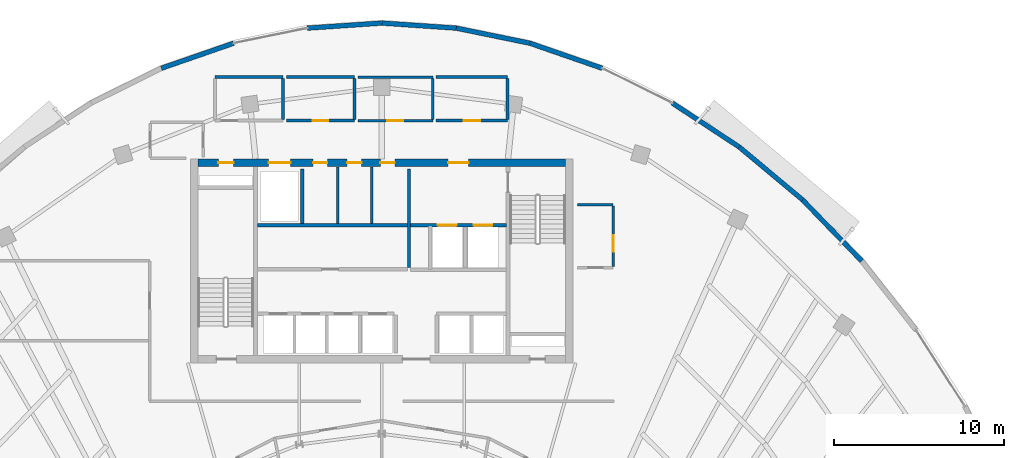
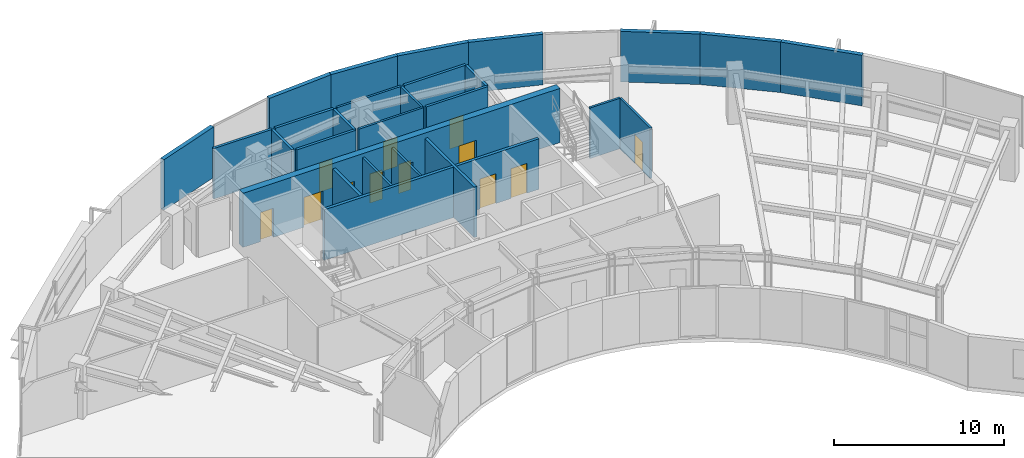
# One storey, part 10 of 14: 28 walls, 12 doors, 12 openings.
"""IFC4 building model written with IfcOpenShell, lengths in metres."""

from ifc_helpers import new_model, si_unit, direction, frame, frame_2d, origin, place, context, subcontext, project, spatial, rectangle, extrude, source, transform, mapped, material, layer, layer_set, type_object, type_shapes, element, fill, save


model = new_model("IFC4")

# Units and contexts
model_context = context("Model", 3, precision=1e-05, world=origin(), true_north=direction((0.0, 1.0)))
body_context = subcontext(model_context, "Body", "Model", "MODEL_VIEW")
ifc_project = project(units=[si_unit("LENGTHUNIT", "METRE"), si_unit("AREAUNIT", "SQUARE_METRE"), si_unit("VOLUMEUNIT", "CUBIC_METRE"), si_unit("PLANEANGLEUNIT", "RADIAN"), si_unit("MASSUNIT", "GRAM", prefix="KILO")], contexts=[model_context])

# Site, building, storey
site_placement = place(None, origin())
site = spatial("IfcSite", under=ifc_project, at=site_placement, CompositionType="ELEMENT")
building_placement = place(site_placement, origin())
building = spatial("IfcBuilding", under=site, at=building_placement, Name="Breltana Convention Tower", CompositionType="ELEMENT")
storey_placement = place(building_placement, frame((0.0, 0.0, 211.800048828125)))
storey = spatial("IfcBuildingStorey", under=building, at=storey_placement, Name="L51", CompositionType="ELEMENT", Elevation=211.800048828125)

# Wall, openings, doors
ifc_material_1 = material(Name="Concrete C60/75", Category="concrete")
ifc_layer_1 = layer(ifc_material_1, 0.449951171875, Name="Concrete C60/75")
ifc_layer_set_1 = layer_set([ifc_layer_1], Name="Concrete C60/75")
wall_type_1 = type_object("IfcWallType", Name="SW-CORE-450", PredefinedType="SHEAR", material=ifc_layer_set_1)
shared_shape_1 = source(origin(), body_context, "Body", "SweptSolid", [
    extrude(rectangle(XDim=21.60009765625, YDim=0.449951171875, at=frame_2d((10.800048828125, 0.0))), origin(), (0.0, 0.0, 1.0), 3.89990234375),
])
wall_1_placement = place(storey_placement, frame((37.199951171875, 71.97509765625, 0.0), z_axis=(0.0, 0.0, 1.0), x_axis=(1.0, 0.0, 0.0)))
wall_1 = element("IfcWall", 1, at=wall_1_placement, inside=storey, type_object=wall_type_1, Name="L51 North Core Shear Wall", PredefinedType="SHEAR", context=body_context, shape_type="MappedRepresentation", body=[
    mapped(shared_shape_1, transform((0.0, 0.0, 0.0), scale=1.0)),
])
opening_1_placement = place(wall_1_placement, frame((1.199951171875, 0.0, 0.0)))
opening_1 = element("IfcOpeningElement", 2, at=opening_1_placement, cuts=wall_1, Name="Opening D-18", PredefinedType="OPENING", context=body_context, shape_type="SweptSolid", body=[
    extrude(rectangle(XDim=0.89990234375, YDim=2.10009765625, at=frame_2d((0.449951171875, 1.050048828125))), frame((0.0, 0.23486328125, 0.0), z_axis=(0.0, -1.0, 0.0), x_axis=(1.0, 0.0, 0.0)), (0.0, 0.0, 1.0), 0.469970703125),
])
opening_2_placement = place(wall_1_placement, frame((14.699951171875, 0.0, 0.0)))
opening_2 = element("IfcOpeningElement", 3, at=opening_2_placement, cuts=wall_1, Name="Opening D-09", PredefinedType="OPENING", context=body_context, shape_type="SweptSolid", body=[
    extrude(rectangle(XDim=1.199951171875, YDim=2.14990234375, at=frame_2d((0.60009765625, 1.074951171875))), frame((0.0, 0.23486328125, 0.0), z_axis=(0.0, -1.0, 0.0), x_axis=(1.0, 0.0, 0.0)), (0.0, 0.0, 1.0), 0.469970703125),
])
opening_3_placement = place(wall_1_placement, frame((4.14990234375, 0.0, 0.0)))
opening_3 = element("IfcOpeningElement", 4, at=opening_3_placement, cuts=wall_1, Name="Opening LD-01", PredefinedType="OPENING", context=body_context, shape_type="SweptSolid", body=[
    extrude(rectangle(XDim=1.300048828125, YDim=2.14990234375, at=frame_2d((0.64990234375, 1.074951171875))), frame((0.0, 0.23486328125, 0.0), z_axis=(0.0, -1.0, 0.0), x_axis=(1.0, 0.0, 0.0)), (0.0, 0.0, 1.0), 0.469970703125),
])
opening_4_placement = place(wall_1_placement, frame((6.760009765625, 0.0, 0.0)))
opening_4 = element("IfcOpeningElement", 5, at=opening_4_placement, cuts=wall_1, Name="Opening D-20", PredefinedType="OPENING", context=body_context, shape_type="SweptSolid", body=[
    extrude(rectangle(XDim=0.85009765625, YDim=2.10009765625, at=frame_2d((0.425048828125, 1.050048828125))), frame((0.0, 0.23486328125, 0.0), z_axis=(0.0, -1.0, 0.0), x_axis=(1.0, 0.0, 0.0)), (0.0, 0.0, 1.0), 0.469970703125),
])
opening_5_placement = place(wall_1_placement, frame((8.760009765625, 0.0, 0.0)))
opening_5 = element("IfcOpeningElement", 6, at=opening_5_placement, cuts=wall_1, Name="Opening D-20", PredefinedType="OPENING", context=body_context, shape_type="SweptSolid", body=[
    extrude(rectangle(XDim=0.85009765625, YDim=2.10009765625, at=frame_2d((0.425048828125, 1.050048828125))), frame((0.0, 0.23486328125, 0.0), z_axis=(0.0, -1.0, 0.0), x_axis=(1.0, 0.0, 0.0)), (0.0, 0.0, 1.0), 0.469970703125),
])
opening_6_placement = place(wall_1_placement, frame((10.72509765625, 0.0, 0.0)))
opening_6 = element("IfcOpeningElement", 7, at=opening_6_placement, cuts=wall_1, Name="Opening D-20", PredefinedType="OPENING", context=body_context, shape_type="SweptSolid", body=[
    extrude(rectangle(XDim=0.85009765625, YDim=2.10009765625, at=frame_2d((0.425048828125, 1.050048828125))), frame((0.0, 0.23486328125, 0.0), z_axis=(0.0, -1.0, 0.0), x_axis=(1.0, 0.0, 0.0)), (0.0, 0.0, 1.0), 0.469970703125),
])
ifc_material_2 = material(Name="Steel Riser Fire Door", Category="steel")
door_type_1 = type_object("IfcDoorType", Name="DR-FD60-900", OperationType="NOTDEFINED", PredefinedType="DOOR", material=ifc_material_2)
shared_shape_2 = source(origin(), body_context, "Body", "SweptSolid", [
    extrude(rectangle(XDim=0.89990234375, YDim=2.10009765625, at=frame_2d((0.449951171875, 1.050048828125))), frame((0.0, 0.02490234375, 0.0), z_axis=(0.0, -1.0, 0.0), x_axis=(1.0, 0.0, 0.0)), (0.0, 0.0, 1.0), 0.050048828125),
])
type_shapes(door_type_1, [shared_shape_2])
door_1_placement = place(opening_1_placement, origin())
door_1 = element("IfcDoor", 8, at=door_1_placement, inside=storey, type_object=door_type_1, Name="L51 Core Riser Access Door D-L51-RS1", OperationType="SINGLE_SWING_LEFT", OverallHeight=2.10009765625, OverallWidth=0.89990234375, PredefinedType="DOOR", context=body_context, shape_type="MappedRepresentation", body=[
    mapped(shared_shape_2, transform((0.0, 0.0, 0.0), scale=1.0)),
])
fill(opening_1, door_1)
ifc_material_3 = material(Name="Steel Fire Lobby Door", Category="steel")
door_type_2 = type_object("IfcDoorType", Name="DR-FD120-1200", OperationType="NOTDEFINED", PredefinedType="DOOR", material=ifc_material_3)
shared_shape_3 = source(origin(), body_context, "Body", "SweptSolid", [
    extrude(rectangle(XDim=1.199951171875, YDim=2.14990234375, at=frame_2d((0.60009765625, 1.074951171875))), frame((0.0, 0.02490234375, 0.0), z_axis=(0.0, -1.0, 0.0), x_axis=(1.0, 0.0, 0.0)), (0.0, 0.0, 1.0), 0.050048828125),
])
type_shapes(door_type_2, [shared_shape_3])
door_2_placement = place(opening_2_placement, origin())
door_2 = element("IfcDoor", 9, at=door_2_placement, inside=storey, type_object=door_type_2, Name="L51 interior door D-L51-FFL-N", OperationType="SINGLE_SWING_RIGHT", OverallHeight=2.14990234375, OverallWidth=1.199951171875, PredefinedType="DOOR", context=body_context, shape_type="MappedRepresentation", body=[
    mapped(shared_shape_3, transform((0.0, 0.0, 0.0), scale=1.0)),
])
fill(opening_2, door_2)
ifc_material_4 = material(Name="Stainless Steel Brushed", Category="steel")
door_type_3 = type_object("IfcDoorType", Name="DR-LD-SRV-1300", OperationType="DOUBLE_DOOR_SLIDING", PredefinedType="DOOR", material=ifc_material_4)
shared_shape_4 = source(origin(), body_context, "Body", "SweptSolid", [
    extrude(rectangle(XDim=1.300048828125, YDim=2.14990234375, at=frame_2d((0.64990234375, 1.074951171875))), frame((0.0, 0.02490234375, 0.0), z_axis=(0.0, -1.0, 0.0), x_axis=(1.0, 0.0, 0.0)), (0.0, 0.0, 1.0), 0.050048828125),
])
type_shapes(door_type_3, [shared_shape_4])
door_3_placement = place(opening_3_placement, origin())
door_3 = element("IfcDoor", 10, at=door_3_placement, inside=storey, type_object=door_type_3, Name="L51 Lift Landing Door D-L51-LD-SV1", OperationType="DOUBLE_DOOR_SLIDING", OverallHeight=2.14990234375, OverallWidth=1.300048828125, PredefinedType="DOOR", context=body_context, shape_type="MappedRepresentation", body=[
    mapped(shared_shape_4, transform((0.0, 0.0, 0.0), scale=1.0)),
])
fill(opening_3, door_3)
ifc_material_5 = material(Name="Steel Closet Fire Door", Category="steel")
door_type_4 = type_object("IfcDoorType", Name="DR-FD60-850", OperationType="NOTDEFINED", PredefinedType="DOOR", material=ifc_material_5)
shared_shape_5 = source(origin(), body_context, "Body", "SweptSolid", [
    extrude(rectangle(XDim=0.85009765625, YDim=2.10009765625, at=frame_2d((0.425048828125, 1.050048828125))), frame((0.0, 0.02490234375, 0.0), z_axis=(0.0, -1.0, 0.0), x_axis=(1.0, 0.0, 0.0)), (0.0, 0.0, 1.0), 0.050048828125),
])
type_shapes(door_type_4, [shared_shape_5])
door_4_placement = place(opening_4_placement, origin())
door_4 = element("IfcDoor", 11, at=door_4_placement, inside=storey, type_object=door_type_4, Name="L51 interior door D-L51-CRA1", OperationType="SINGLE_SWING_LEFT", OverallHeight=2.10009765625, OverallWidth=0.85009765625, PredefinedType="DOOR", context=body_context, shape_type="MappedRepresentation", body=[
    mapped(shared_shape_5, transform((0.0, 0.0, 0.0), scale=1.0)),
])
fill(opening_4, door_4)
door_5_placement = place(opening_5_placement, origin())
door_5 = element("IfcDoor", 12, at=door_5_placement, inside=storey, type_object=door_type_4, Name="L51 interior door D-L51-CRA2", OperationType="SINGLE_SWING_RIGHT", OverallHeight=2.10009765625, OverallWidth=0.85009765625, PredefinedType="DOOR", context=body_context, shape_type="MappedRepresentation", body=[
    mapped(shared_shape_5, transform((0.0, 0.0, 0.0), scale=1.0)),
])
fill(opening_5, door_5)
door_6_placement = place(opening_6_placement, origin())
door_6 = element("IfcDoor", 13, at=door_6_placement, inside=storey, type_object=door_type_4, Name="L51 interior door D-L51-CRA3", OperationType="SINGLE_SWING_LEFT", OverallHeight=2.10009765625, OverallWidth=0.85009765625, PredefinedType="DOOR", context=body_context, shape_type="MappedRepresentation", body=[
    mapped(shared_shape_5, transform((0.0, 0.0, 0.0), scale=1.0)),
])
fill(opening_6, door_6)

# Walls
ifc_material_6 = material(Name="Limestone Buff Insulated Wall", Category="masonry")
ifc_layer_2 = layer(ifc_material_6, 0.280029296875, Name="Limestone Buff Insulated Wall")
ifc_layer_set_2 = layer_set([ifc_layer_2], Name="Limestone Buff Insulated Wall")
wall_type_2 = type_object("IfcWallType", Name="WL-EXT-NOSE-280", PredefinedType="SOLIDWALL", material=ifc_layer_set_2)
shared_shape_6 = source(origin(), body_context, "Body", "SweptSolid", [
    extrude(rectangle(XDim=4.851806640625, YDim=0.280029296875, at=frame_2d((2.42578125, 0.0))), origin(), (0.0, 0.0, 1.0), 3.639892578125),
])
wall_2_placement = place(storey_placement, frame((69.006103515625, 72.8955078125, 0.0), z_axis=(0.0, 0.0, 1.0), x_axis=(0.767936605821, -0.640525853843, 0.0)))
element("IfcWall", 14, at=wall_2_placement, inside=storey, type_object=wall_type_2, Name="L51 curved limestone nose wall E30", PredefinedType="SOLIDWALL", context=body_context, shape_type="MappedRepresentation", body=[
    mapped(shared_shape_6, transform((0.0, 0.0, 0.0), scale=1.0)),
])
shared_shape_7 = source(origin(), body_context, "Body", "SweptSolid", [
    extrude(rectangle(XDim=4.712646484375, YDim=0.280029296875, at=frame_2d((2.3564453125, 0.0))), origin(), (0.0, 0.0, 1.0), 3.639892578125),
])
wall_3_placement = place(storey_placement, frame((65.06640625, 75.481689453125, 0.0), z_axis=(0.0, 0.0, 1.0), x_axis=(0.835974386457, -0.548768462275, 0.0)))
element("IfcWall", 15, at=wall_3_placement, inside=storey, type_object=wall_type_2, Name="L51 curved limestone nose wall E29", PredefinedType="SOLIDWALL", context=body_context, shape_type="MappedRepresentation", body=[
    mapped(shared_shape_7, transform((0.0, 0.0, 0.0), scale=1.0)),
])
shared_shape_8 = source(origin(), body_context, "Body", "SweptSolid", [
    extrude(rectangle(XDim=4.4921875, YDim=0.280029296875, at=frame_2d((2.24609375, 0.0))), origin(), (0.0, 0.0, 1.0), 3.639892578125),
])
for number, where, z_axis, x_axis, name in (
    (16, (35.04638671875, 77.520263671875, 0.0), (0.0, 0.0, 1.0), (0.944872297412, 0.32743906545, 0.0), "L51 curved limestone nose wall E24"),
    (17, (56.708984375, 78.9912109375, 0.0), (0.0, 0.0, 1.0), (0.944872297412, -0.32743906545, 0.0), "L51 curved limestone nose wall E28"),
):
    element("IfcWall", number, at=place(storey_placement, frame(where, z_axis=z_axis, x_axis=x_axis)), inside=storey, type_object=wall_type_2, Name=name, PredefinedType="SOLIDWALL", context=body_context, shape_type="MappedRepresentation", body=[
        mapped(shared_shape_8, transform((0.0, 0.0, 0.0), scale=1.0)),
    ])
shared_shape_9 = source(origin(), body_context, "Body", "SweptSolid", [
    extrude(rectangle(XDim=4.38671875, YDim=0.280029296875, at=frame_2d((2.193359375, 0.0))), origin(), (0.0, 0.0, 1.0), 3.639892578125),
])
for number, where, z_axis, x_axis, name in (
    (18, (43.623291015625, 79.87939453125, 0.0), (0.0, 0.0, 1.0), (0.997703650546, 0.06773053733, 0.0), "L51 curved limestone nose wall E25"),
    (19, (48.0, 80.176513671875, 0.0), (0.0, 0.0, 1.0), (0.997703650546, -0.06773053733, 0.0), "L51 curved limestone nose wall E26"),
):
    element("IfcWall", number, at=place(storey_placement, frame(where, z_axis=z_axis, x_axis=x_axis)), inside=storey, type_object=wall_type_2, Name=name, PredefinedType="SOLIDWALL", context=body_context, shape_type="MappedRepresentation", body=[
        mapped(shared_shape_9, transform((0.0, 0.0, 0.0), scale=1.0)),
    ])
shared_shape_10 = source(origin(), body_context, "Body", "SweptSolid", [
    extrude(rectangle(XDim=4.42236328125, YDim=0.280029296875, at=frame_2d((2.211181640625, 0.0))), origin(), (0.0, 0.0, 1.0), 3.639892578125),
])
wall_4_placement = place(storey_placement, frame((52.376708984375, 79.87939453125, 0.0), z_axis=(0.0, 0.0, 1.0), x_axis=(0.979624428875, -0.200838189476, 0.0)))
element("IfcWall", 20, at=wall_4_placement, inside=storey, type_object=wall_type_2, Name="L51 curved limestone nose wall E27", PredefinedType="SOLIDWALL", context=body_context, shape_type="MappedRepresentation", body=[
    mapped(shared_shape_10, transform((0.0, 0.0, 0.0), scale=1.0)),
])
shared_shape_11 = source(origin(), body_context, "Body", "SweptSolid", [
    extrude(rectangle(XDim=5.000732421875, YDim=0.280029296875, at=frame_2d((2.50048828125, 0.0))), origin(), (0.0, 0.0, 1.0), 3.639892578125),
])
wall_5_placement = place(storey_placement, frame((72.73193359375, 69.787841796875, 0.0), z_axis=(0.0, 0.0, 1.0), x_axis=(0.694572731818, -0.719422490762, 0.0)))
element("IfcWall", 21, at=wall_5_placement, inside=storey, type_object=wall_type_2, Name="L51 curved limestone nose wall E31", PredefinedType="SOLIDWALL", context=body_context, shape_type="MappedRepresentation", body=[
    mapped(shared_shape_11, transform((0.0, 0.0, 0.0), scale=1.0)),
])

# Wall, openings, doors
ifc_material_7 = material(Name="Autoclaved Aerated Concrete Block", Category="concrete")
ifc_layer_3 = layer(ifc_material_7, 0.199951171875, Name="Autoclaved Aerated Concrete Block")
ifc_layer_set_3 = layer_set([ifc_layer_3], Name="Autoclaved Aerated Concrete Block")
wall_type_3 = type_object("IfcWallType", Name="WL-SHAFT-200", PredefinedType="SOLIDWALL", material=ifc_layer_set_3)
shared_shape_12 = source(origin(), body_context, "Body", "SweptSolid", [
    extrude(rectangle(XDim=5.6201171875, YDim=0.199951171875, at=frame_2d((2.81005859375, 0.0))), origin(), (0.0, 0.0, 1.0), 3.639892578125),
])
wall_6_placement = place(storey_placement, frame((49.699951171875, 68.300048828125, 0.0), z_axis=(0.0, 0.0, 1.0), x_axis=(1.0, 0.0, 0.0)))
wall_6 = element("IfcWall", 22, at=wall_6_placement, inside=storey, type_object=wall_type_3, Name="L51 interior partition W-L51-FFL-S", PredefinedType="SOLIDWALL", context=body_context, shape_type="MappedRepresentation", body=[
    mapped(shared_shape_12, transform((0.0, 0.0, 0.0), scale=1.0)),
])
opening_7_placement = place(wall_6_placement, frame((1.60009765625, 0.0, 0.0)))
opening_7 = element("IfcOpeningElement", 23, at=opening_7_placement, cuts=wall_6, Name="Opening LD-03", PredefinedType="OPENING", context=body_context, shape_type="SweptSolid", body=[
    extrude(rectangle(XDim=1.10009765625, YDim=2.14990234375, at=frame_2d((0.550048828125, 1.074951171875))), frame((0.0, 0.10986328125, 0.0), z_axis=(0.0, -1.0, 0.0), x_axis=(1.0, 0.0, 0.0)), (0.0, 0.0, 1.0), 0.219970703125),
])
opening_8_placement = place(wall_6_placement, frame((3.699951171875, 0.0, 0.0)))
opening_8 = element("IfcOpeningElement", 24, at=opening_8_placement, cuts=wall_6, Name="Opening LD-03", PredefinedType="OPENING", context=body_context, shape_type="SweptSolid", body=[
    extrude(rectangle(XDim=1.10009765625, YDim=2.14990234375, at=frame_2d((0.550048828125, 1.074951171875))), frame((0.0, 0.10986328125, 0.0), z_axis=(0.0, -1.0, 0.0), x_axis=(1.0, 0.0, 0.0)), (0.0, 0.0, 1.0), 0.219970703125),
])
door_type_5 = type_object("IfcDoorType", Name="DR-LD-FF-1100", OperationType="DOUBLE_DOOR_SLIDING", PredefinedType="DOOR", material=ifc_material_4)
shared_shape_13 = source(origin(), body_context, "Body", "SweptSolid", [
    extrude(rectangle(XDim=1.10009765625, YDim=2.14990234375, at=frame_2d((0.550048828125, 1.074951171875))), frame((0.0, 0.02490234375, 0.0), z_axis=(0.0, -1.0, 0.0), x_axis=(1.0, 0.0, 0.0)), (0.0, 0.0, 1.0), 0.050048828125),
])
type_shapes(door_type_5, [shared_shape_13])
door_7_placement = place(opening_7_placement, origin())
door_7 = element("IfcDoor", 25, at=door_7_placement, inside=storey, type_object=door_type_5, Name="L51 Lift Landing Door D-L51-LD-FL1", OperationType="DOUBLE_DOOR_SLIDING", OverallHeight=2.14990234375, OverallWidth=1.10009765625, PredefinedType="DOOR", context=body_context, shape_type="MappedRepresentation", body=[
    mapped(shared_shape_13, transform((0.0, 0.0, 0.0), scale=1.0)),
])
fill(opening_7, door_7)
door_8_placement = place(opening_8_placement, origin())
door_8 = element("IfcDoor", 26, at=door_8_placement, inside=storey, type_object=door_type_5, Name="L51 Lift Landing Door D-L51-LD-FL2", OperationType="DOUBLE_DOOR_SLIDING", OverallHeight=2.14990234375, OverallWidth=1.10009765625, PredefinedType="DOOR", context=body_context, shape_type="MappedRepresentation", body=[
    mapped(shared_shape_13, transform((0.0, 0.0, 0.0), scale=1.0)),
])
fill(opening_8, door_8)

# Walls
shared_shape_14 = source(origin(), body_context, "Body", "SweptSolid", [
    extrude(rectangle(XDim=5.800048828125, YDim=0.199951171875, at=frame_2d((2.89990234375, 0.0))), origin(), (0.0, 0.0, 1.0), 3.639892578125),
])
wall_7_placement = place(storey_placement, frame((49.60009765625, 65.800048828125, 0.0), z_axis=(0.0, 0.0, 1.0), x_axis=(0.0, 1.0, 0.0)))
element("IfcWall", 27, at=wall_7_placement, inside=storey, type_object=wall_type_3, Name="L51 interior partition W-L51-FFL-W", PredefinedType="SOLIDWALL", context=body_context, shape_type="MappedRepresentation", body=[
    mapped(shared_shape_14, transform((0.0, 0.0, 0.0), scale=1.0)),
])
shared_shape_15 = source(origin(), body_context, "Body", "SweptSolid", [
    extrude(rectangle(XDim=3.2001953125, YDim=0.199951171875, at=frame_2d((1.60009765625, 0.0))), origin(), (0.0, 0.0, 1.0), 3.639892578125),
])
wall_8_placement = place(storey_placement, frame((43.320068359375, 68.39990234375, 0.0), z_axis=(0.0, 0.0, 1.0), x_axis=(0.0, 1.0, 0.0)))
element("IfcWall", 28, at=wall_8_placement, inside=storey, type_object=wall_type_3, Name="L51 interior partition W-L51-SV-E", PredefinedType="SOLIDWALL", context=body_context, shape_type="MappedRepresentation", body=[
    mapped(shared_shape_15, transform((0.0, 0.0, 0.0), scale=1.0)),
])
shared_shape_16 = source(origin(), body_context, "Body", "SweptSolid", [
    extrude(rectangle(XDim=8.800048828125, YDim=0.199951171875, at=frame_2d((4.39990234375, 0.0))), origin(), (0.0, 0.0, 1.0), 3.639892578125),
])
wall_9_placement = place(storey_placement, frame((40.699951171875, 68.300048828125, 0.0), z_axis=(0.0, 0.0, 1.0), x_axis=(1.0, 0.0, 0.0)))
element("IfcWall", 29, at=wall_9_placement, inside=storey, type_object=wall_type_3, Name="L51 interior partition W-L51-SV-S", PredefinedType="SOLIDWALL", context=body_context, shape_type="MappedRepresentation", body=[
    mapped(shared_shape_16, transform((0.0, 0.0, 0.0), scale=1.0)),
])
ifc_material_8 = material(Name="Gypsum Acoustic Drywall Partition")
ifc_layer_4 = layer(ifc_material_8, 0.14990234375, Name="Gypsum Acoustic Drywall Partition")
ifc_layer_set_4 = layer_set([ifc_layer_4], Name="Gypsum Acoustic Drywall Partition")
wall_type_4 = type_object("IfcWallType", Name="WL-PART-150", PredefinedType="PARTITIONING", material=ifc_layer_set_4)
shared_shape_17 = source(origin(), body_context, "Body", "SweptSolid", [
    extrude(rectangle(XDim=3.330078125, YDim=0.14990234375, at=frame_2d((1.6650390625, 0.0))), origin(), (0.0, 0.0, 1.0), 3.639892578125),
])
for number, where, z_axis, x_axis, name in (
    (30, (45.39990234375, 68.39990234375, 0.0), (0.0, 0.0, 1.0), (0.0, 1.0, 0.0), "L51 interior partition W-L51-KV-1"),
    (31, (47.39990234375, 68.39990234375, 0.0), (0.0, 0.0, 1.0), (0.0, 1.0, 0.0), "L51 interior partition W-L51-KV-2"),
):
    element("IfcWall", number, at=place(storey_placement, frame(where, z_axis=z_axis, x_axis=x_axis)), inside=storey, type_object=wall_type_4, Name=name, PredefinedType="PARTITIONING", context=body_context, shape_type="MappedRepresentation", body=[
        mapped(shared_shape_17, transform((0.0, 0.0, 0.0), scale=1.0)),
    ])
shared_shape_18 = source(origin(), body_context, "Body", "SweptSolid", [
    extrude(rectangle(XDim=2.10009765625, YDim=0.14990234375, at=frame_2d((1.050048828125, 0.0))), origin(), (0.0, 0.0, 1.0), 3.639892578125),
])
wall_10_placement = place(storey_placement, frame((59.5, 69.5, 0.0), z_axis=(0.0, 0.0, 1.0), x_axis=(1.0, 0.0, 0.0)))
element("IfcWall", 32, at=wall_10_placement, inside=storey, type_object=wall_type_4, Name="L51 interior partition W-L51-CRSE-N", PredefinedType="PARTITIONING", context=body_context, shape_type="MappedRepresentation", body=[
    mapped(shared_shape_18, transform((0.0, 0.0, 0.0), scale=1.0)),
])

# Wall, opening, door
ifc_material_9 = material(Name="Cement Board Wet-Area Partition")
ifc_layer_5 = layer(ifc_material_9, 0.175048828125, Name="Cement Board Wet-Area Partition")
ifc_layer_set_5 = layer_set([ifc_layer_5], Name="Cement Board Wet-Area Partition")
wall_type_5 = type_object("IfcWallType", Name="WL-WET-175", PredefinedType="PARTITIONING", material=ifc_layer_set_5)
shared_shape_19 = source(origin(), body_context, "Body", "SweptSolid", [
    extrude(rectangle(XDim=4.0, YDim=0.175048828125, at=frame_2d((2.0, 0.0))), origin(), (0.0, 0.0, 1.0), 3.639892578125),
])
wall_11_placement = place(storey_placement, frame((42.39990234375, 74.43994140625, 0.0), z_axis=(0.0, 0.0, 1.0), x_axis=(1.0, 0.0, 0.0)))
wall_11 = element("IfcWall", 33, at=wall_11_placement, inside=storey, type_object=wall_type_5, Name="L51 interior partition W-L51-WCF-S", PredefinedType="PARTITIONING", context=body_context, shape_type="MappedRepresentation", body=[
    mapped(shared_shape_19, transform((0.0, 0.0, 0.0), scale=1.0)),
])
opening_9_placement = place(wall_11_placement, frame((1.550048828125, 0.0, 0.0)))
opening_9 = element("IfcOpeningElement", 34, at=opening_9_placement, cuts=wall_11, Name="Opening D-19", PredefinedType="OPENING", context=body_context, shape_type="SweptSolid", body=[
    extrude(rectangle(XDim=0.89990234375, YDim=2.080078125, at=frame_2d((0.449951171875, 1.0400390625))), frame((0.0, 0.09765625, 0.0), z_axis=(0.0, -1.0, 0.0), x_axis=(1.0, 0.0, 0.0)), (0.0, 0.0, 1.0), 0.195068359375),
])
ifc_material_10 = material(Name="Timber Moisture-Resistant Door", Category="wood")
door_type_6 = type_object("IfcDoorType", Name="DR-WC-900", OperationType="NOTDEFINED", PredefinedType="DOOR", material=ifc_material_10)
shared_shape_20 = source(origin(), body_context, "Body", "SweptSolid", [
    extrude(rectangle(XDim=0.89990234375, YDim=2.080078125, at=frame_2d((0.449951171875, 1.0400390625))), frame((0.0, 0.02490234375, 0.0), z_axis=(0.0, -1.0, 0.0), x_axis=(1.0, 0.0, 0.0)), (0.0, 0.0, 1.0), 0.050048828125),
])
type_shapes(door_type_6, [shared_shape_20])
door_9_placement = place(opening_9_placement, origin())
door_9 = element("IfcDoor", 35, at=door_9_placement, inside=storey, type_object=door_type_6, Name="L51 interior door D-L51-WCF", OperationType="SINGLE_SWING_RIGHT", OverallHeight=2.080078125, OverallWidth=0.89990234375, PredefinedType="DOOR", context=body_context, shape_type="MappedRepresentation", body=[
    mapped(shared_shape_20, transform((0.0, 0.0, 0.0), scale=1.0)),
])
fill(opening_9, door_9)

# Walls
ifc_material_11 = material(Name="Moisture-Resistant Gypsum Chase Wall")
ifc_layer_6 = layer(ifc_material_11, 0.179931640625, Name="Moisture-Resistant Gypsum Chase Wall")
ifc_layer_set_6 = layer_set([ifc_layer_6], Name="Moisture-Resistant Gypsum Chase Wall")
wall_type_6 = type_object("IfcWallType", Name="WL-PLUMB-180", PredefinedType="PLUMBINGWALL", material=ifc_layer_set_6)
shared_shape_21 = source(origin(), body_context, "Body", "SweptSolid", [
    extrude(rectangle(XDim=4.0, YDim=0.179931640625, at=frame_2d((2.0, 0.0))), origin(), (0.0, 0.0, 1.0), 3.639892578125),
])
for number, where, z_axis, x_axis, name in (
    (36, (38.199951171875, 77.0, 0.0), (0.0, 0.0, 1.0), (1.0, 0.0, 0.0), "L51 interior partition W-L51-WCM-N"),
    (37, (42.39990234375, 77.0, 0.0), (0.0, 0.0, 1.0), (1.0, 0.0, 0.0), "L51 interior partition W-L51-WCF-N"),
):
    element("IfcWall", number, at=place(storey_placement, frame(where, z_axis=z_axis, x_axis=x_axis)), inside=storey, type_object=wall_type_6, Name=name, PredefinedType="PLUMBINGWALL", context=body_context, shape_type="MappedRepresentation", body=[
        mapped(shared_shape_21, transform((0.0, 0.0, 0.0), scale=1.0)),
    ])
shared_shape_22 = source(origin(), body_context, "Body", "SweptSolid", [
    extrude(rectangle(XDim=2.402587890625, YDim=0.175048828125, at=frame_2d((1.201171875, 0.0))), origin(), (0.0, 0.0, 1.0), 3.639892578125),
])
for number, where, z_axis, x_axis, name in (
    (38, (42.199951171875, 74.518798828125, 0.0), (0.0, 0.0, 1.0), (0.0, 1.0, 0.0), "L51 interior partition W-L51-WCM-E"),
    (39, (46.39990234375, 74.518798828125, 0.0), (0.0, 0.0, 1.0), (0.0, 1.0, 0.0), "L51 interior partition W-L51-WCF-E"),
    (40, (55.39990234375, 74.518798828125, 0.0), (0.0, 0.0, 1.0), (0.0, 1.0, 0.0), "L51 interior partition W-L51-WCA-E"),
):
    element("IfcWall", number, at=place(storey_placement, frame(where, z_axis=z_axis, x_axis=x_axis)), inside=storey, type_object=wall_type_5, Name=name, PredefinedType="PARTITIONING", context=body_context, shape_type="MappedRepresentation", body=[
        mapped(shared_shape_22, transform((0.0, 0.0, 0.0), scale=1.0)),
    ])

# Wall, opening, door
shared_shape_23 = source(origin(), body_context, "Body", "SweptSolid", [
    extrude(rectangle(XDim=4.39990234375, YDim=0.14990234375, at=frame_2d((2.199951171875, 0.0))), origin(), (0.0, 0.0, 1.0), 3.639892578125),
])
wall_12_placement = place(storey_placement, frame((46.60009765625, 74.43994140625, 0.0), z_axis=(0.0, 0.0, 1.0), x_axis=(1.0, 0.0, 0.0)))
wall_12 = element("IfcWall", 41, at=wall_12_placement, inside=storey, type_object=wall_type_4, Name="L51 interior partition W-L51-PNT-S", PredefinedType="PARTITIONING", context=body_context, shape_type="MappedRepresentation", body=[
    mapped(shared_shape_23, transform((0.0, 0.0, 0.0), scale=1.0)),
])
opening_10_placement = place(wall_12_placement, frame((1.72509765625, 0.0, 0.0)))
opening_10 = element("IfcOpeningElement", 42, at=opening_10_placement, cuts=wall_12, Name="Opening D-17", PredefinedType="OPENING", context=body_context, shape_type="SweptSolid", body=[
    extrude(rectangle(XDim=0.949951171875, YDim=2.10009765625, at=frame_2d((0.47509765625, 1.050048828125))), frame((0.0, 0.0849609375, 0.0), z_axis=(0.0, -1.0, 0.0), x_axis=(1.0, 0.0, 0.0)), (0.0, 0.0, 1.0), 0.169921875),
])
ifc_material_12 = material(Name="Timber Oak Veneer Door", Category="wood")
door_type_7 = type_object("IfcDoorType", Name="DR-INT-950", OperationType="NOTDEFINED", PredefinedType="DOOR", material=ifc_material_12)
shared_shape_24 = source(origin(), body_context, "Body", "SweptSolid", [
    extrude(rectangle(XDim=0.949951171875, YDim=2.10009765625, at=frame_2d((0.47509765625, 1.050048828125))), frame((0.0, 0.02490234375, 0.0), z_axis=(0.0, -1.0, 0.0), x_axis=(1.0, 0.0, 0.0)), (0.0, 0.0, 1.0), 0.050048828125),
])
type_shapes(door_type_7, [shared_shape_24])
door_10_placement = place(opening_10_placement, origin())
door_10 = element("IfcDoor", 43, at=door_10_placement, inside=storey, type_object=door_type_7, Name="L51 interior door D-L51-PNT", OperationType="SINGLE_SWING_LEFT", OverallHeight=2.10009765625, OverallWidth=0.949951171875, PredefinedType="DOOR", context=body_context, shape_type="MappedRepresentation", body=[
    mapped(shared_shape_24, transform((0.0, 0.0, 0.0), scale=1.0)),
])
fill(opening_10, door_10)

# Walls
wall_13_placement = place(storey_placement, frame((46.60009765625, 77.0, 0.0), z_axis=(0.0, 0.0, 1.0), x_axis=(1.0, 0.0, 0.0)))
element("IfcWall", 44, at=wall_13_placement, inside=storey, type_object=wall_type_4, Name="L51 interior partition W-L51-PNT-N", PredefinedType="PARTITIONING", context=body_context, shape_type="MappedRepresentation", body=[
    mapped(shared_shape_23, transform((0.0, 0.0, 0.0), scale=1.0)),
])
shared_shape_25 = source(origin(), body_context, "Body", "SweptSolid", [
    extrude(rectangle(XDim=2.425048828125, YDim=0.14990234375, at=frame_2d((1.21240234375, 0.0))), origin(), (0.0, 0.0, 1.0), 3.639892578125),
])
wall_14_placement = place(storey_placement, frame((51.0, 74.507568359375, 0.0), z_axis=(0.0, 0.0, 1.0), x_axis=(0.0, 1.0, 0.0)))
element("IfcWall", 45, at=wall_14_placement, inside=storey, type_object=wall_type_4, Name="L51 interior partition W-L51-PNT-E", PredefinedType="PARTITIONING", context=body_context, shape_type="MappedRepresentation", body=[
    mapped(shared_shape_25, transform((0.0, 0.0, 0.0), scale=1.0)),
])

# Wall, opening, door
shared_shape_26 = source(origin(), body_context, "Body", "SweptSolid", [
    extrude(rectangle(XDim=4.199951171875, YDim=0.175048828125, at=frame_2d((2.10009765625, 0.0))), origin(), (0.0, 0.0, 1.0), 3.639892578125),
])
wall_15_placement = place(storey_placement, frame((51.199951171875, 74.43994140625, 0.0), z_axis=(0.0, 0.0, 1.0), x_axis=(1.0, 0.0, 0.0)))
wall_15 = element("IfcWall", 46, at=wall_15_placement, inside=storey, type_object=wall_type_5, Name="L51 interior partition W-L51-WCA-S", PredefinedType="PARTITIONING", context=body_context, shape_type="MappedRepresentation", body=[
    mapped(shared_shape_26, transform((0.0, 0.0, 0.0), scale=1.0)),
])
opening_11_placement = place(wall_15_placement, frame((1.625, 0.0, 0.0)))
opening_11 = element("IfcOpeningElement", 47, at=opening_11_placement, cuts=wall_15, Name="Opening D-16", PredefinedType="OPENING", context=body_context, shape_type="SweptSolid", body=[
    extrude(rectangle(XDim=0.949951171875, YDim=2.1201171875, at=frame_2d((0.47509765625, 1.06005859375))), frame((0.0, 0.09765625, 0.0), z_axis=(0.0, -1.0, 0.0), x_axis=(1.0, 0.0, 0.0)), (0.0, 0.0, 1.0), 0.195068359375),
])
ifc_material_13 = material(Name="Timber Laminate Accessible Door", Category="wood")
door_type_8 = type_object("IfcDoorType", Name="DR-ACC-950", OperationType="NOTDEFINED", PredefinedType="DOOR", material=ifc_material_13)
shared_shape_27 = source(origin(), body_context, "Body", "SweptSolid", [
    extrude(rectangle(XDim=0.949951171875, YDim=2.1201171875, at=frame_2d((0.47509765625, 1.06005859375))), frame((0.0, 0.02490234375, 0.0), z_axis=(0.0, -1.0, 0.0), x_axis=(1.0, 0.0, 0.0)), (0.0, 0.0, 1.0), 0.050048828125),
])
type_shapes(door_type_8, [shared_shape_27])
door_11_placement = place(opening_11_placement, origin())
door_11 = element("IfcDoor", 48, at=door_11_placement, inside=storey, type_object=door_type_8, Name="L51 interior door D-L51-WCA", OperationType="SINGLE_SWING_RIGHT", OverallHeight=2.1201171875, OverallWidth=0.949951171875, PredefinedType="DOOR", context=body_context, shape_type="MappedRepresentation", body=[
    mapped(shared_shape_27, transform((0.0, 0.0, 0.0), scale=1.0)),
])
fill(opening_11, door_11)

# Wall
shared_shape_28 = source(origin(), body_context, "Body", "SweptSolid", [
    extrude(rectangle(XDim=4.199951171875, YDim=0.179931640625, at=frame_2d((2.10009765625, 0.0))), origin(), (0.0, 0.0, 1.0), 3.639892578125),
])
wall_16_placement = place(storey_placement, frame((51.199951171875, 77.0, 0.0), z_axis=(0.0, 0.0, 1.0), x_axis=(1.0, 0.0, 0.0)))
element("IfcWall", 49, at=wall_16_placement, inside=storey, type_object=wall_type_6, Name="L51 interior partition W-L51-WCA-N", PredefinedType="PLUMBINGWALL", context=body_context, shape_type="MappedRepresentation", body=[
    mapped(shared_shape_28, transform((0.0, 0.0, 0.0), scale=1.0)),
])

# Wall, opening, door
shared_shape_29 = source(origin(), body_context, "Body", "SweptSolid", [
    extrude(rectangle(XDim=3.565185546875, YDim=0.14990234375, at=frame_2d((1.78271484375, 0.0))), origin(), (0.0, 0.0, 1.0), 3.639892578125),
])
wall_17_placement = place(storey_placement, frame((61.60009765625, 65.867431640625, 0.0), z_axis=(0.0, 0.0, 1.0), x_axis=(0.0, 1.0, 0.0)))
wall_17 = element("IfcWall", 50, at=wall_17_placement, inside=storey, type_object=wall_type_4, Name="L51 interior partition W-L51-CRSE-E", PredefinedType="PARTITIONING", context=body_context, shape_type="MappedRepresentation", body=[
    mapped(shared_shape_29, transform((0.0, 0.0, 0.0), scale=1.0)),
])
opening_12_placement = place(wall_17_placement, frame((0.879638671875, 0.0, 0.0)))
opening_12 = element("IfcOpeningElement", 51, at=opening_12_placement, cuts=wall_17, Name="Opening D-17", PredefinedType="OPENING", context=body_context, shape_type="SweptSolid", body=[
    extrude(rectangle(XDim=0.949951171875, YDim=2.10009765625, at=frame_2d((0.47509765625, 1.050048828125))), frame((0.0, 0.0849609375, 0.0), z_axis=(0.0, -1.0, 0.0), x_axis=(1.0, 0.0, 0.0)), (0.0, 0.0, 1.0), 0.169921875),
])
door_12_placement = place(opening_12_placement, origin())
door_12 = element("IfcDoor", 52, at=door_12_placement, inside=storey, type_object=door_type_7, Name="L51 interior door D-L51-EXE1", OperationType="SINGLE_SWING_RIGHT", OverallHeight=2.10009765625, OverallWidth=0.949951171875, PredefinedType="DOOR", context=body_context, shape_type="MappedRepresentation", body=[
    mapped(shared_shape_24, transform((0.0, 0.0, 0.0), scale=1.0)),
])
fill(opening_12, door_12)

save(model, "model.ifc")
